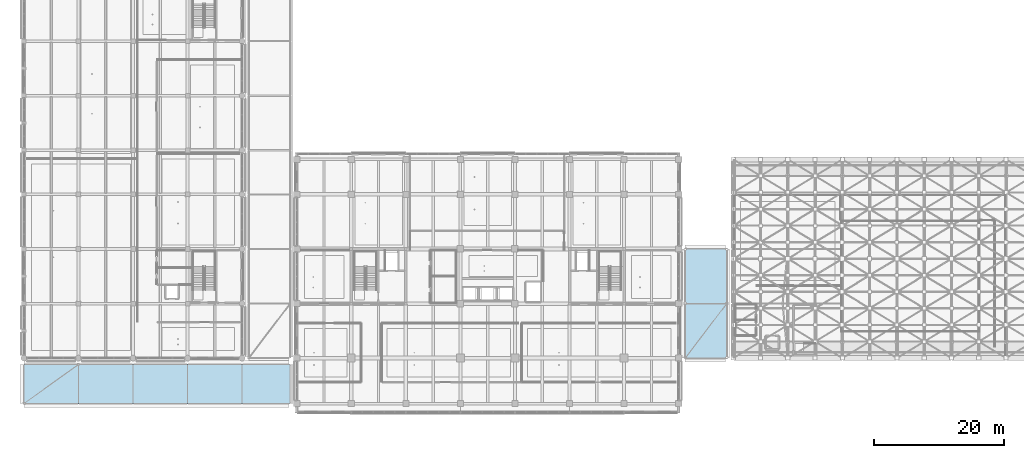
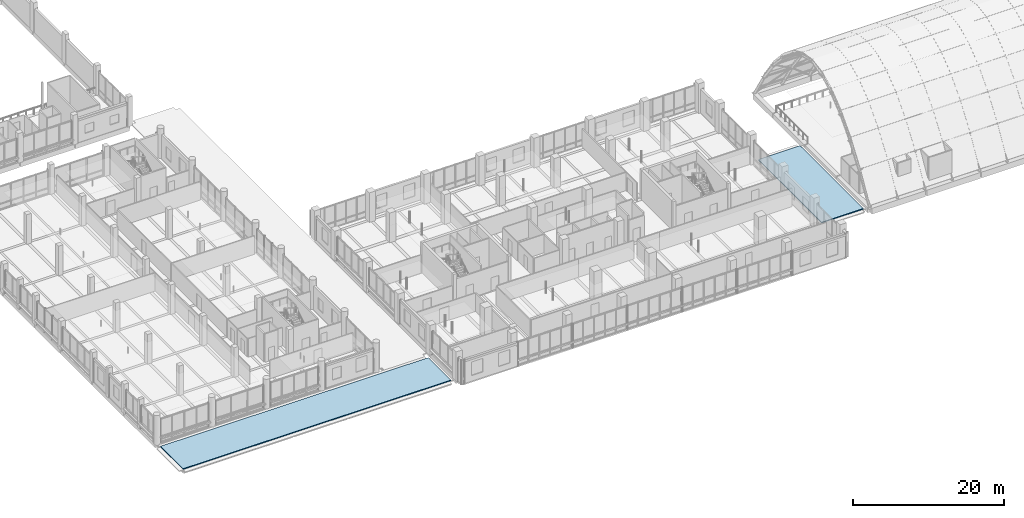
# One storey, part 59 of 128: 2 roofs.
"""IFC4 building model written with IfcOpenShell, lengths in metres."""

from ifc_helpers import new_model, si_unit, direction, frame, origin, place, context, subcontext, project, spatial, polyline, outline, extrude, material, layer, layer_set, type_object, element, save


model = new_model("IFC4")

# Units and contexts
model_context = context("Model", 3, precision=1e-05, world=origin(), true_north=direction((0.0, 1.0)))
body_context = subcontext(model_context, "Body", "Model", "MODEL_VIEW")
ifc_project = project(units=[si_unit("LENGTHUNIT", "METRE"), si_unit("AREAUNIT", "SQUARE_METRE"), si_unit("VOLUMEUNIT", "CUBIC_METRE"), si_unit("PLANEANGLEUNIT", "RADIAN"), si_unit("MASSUNIT", "GRAM", prefix="KILO")], contexts=[model_context])

# Site, building, storey
site_placement = place(None, origin())
site = spatial("IfcSite", under=ifc_project, at=site_placement, CompositionType="ELEMENT")
building_placement = place(site_placement, origin())
building = spatial("IfcBuilding", under=site, at=building_placement, Name="Telukmera Botanical Conservatory", CompositionType="ELEMENT")
storey_placement = place(building_placement, frame((0.0, 0.0, 5.39990234375)))
storey = spatial("IfcBuildingStorey", under=building, at=storey_placement, Name="L01", CompositionType="ELEMENT", Elevation=5.39990234375)

# Roofs
ifc_material = material(Name="Insulated standing-seam aluminium acoustic roof deck", Category="aluminium")
ifc_layer = layer(ifc_material, 0.139892578125)
ifc_layer_set = layer_set([ifc_layer], Name="Insulated standing-seam aluminium acoustic roof deck")
roof_type = type_object("IfcRoofType", Name="Monsoon Overhanging Canopy Flat Roof", PredefinedType="FLAT_ROOF", material=ifc_layer_set)
roof_1_placement = place(storey_placement, origin())
element("IfcRoof", 1, at=roof_1_placement, inside=storey, type_object=roof_type, Name="Boulevard Forecourt Arrival Canopy Roof", PredefinedType="FLAT_ROOF", context=body_context, shape_type="SweptSolid", body=[
    extrude(outline(polyline([(8.39990234375, 10.60009765625), (49.39990234375, 10.60009765625), (49.39990234375, 16.60009765625), (8.39990234375, 16.60009765625), (8.39990234375, 10.60009765625)])), origin(), (0.0, 0.0, 1.0), 0.14013671875),
])
roof_2_placement = place(storey_placement, origin())
element("IfcRoof", 2, at=roof_2_placement, inside=storey, type_object=roof_type, Name="Conservatory Courtyard Link Canopy Roof", PredefinedType="FLAT_ROOF", context=body_context, shape_type="SweptSolid", body=[
    extrude(outline(polyline([(110.199951171875, 17.60009765625), (116.60009765625, 17.60009765625), (116.60009765625, 34.39990234375), (110.199951171875, 34.39990234375), (110.199951171875, 17.60009765625)])), origin(), (0.0, 0.0, 1.0), 0.14013671875),
])

save(model, "model.ifc")
